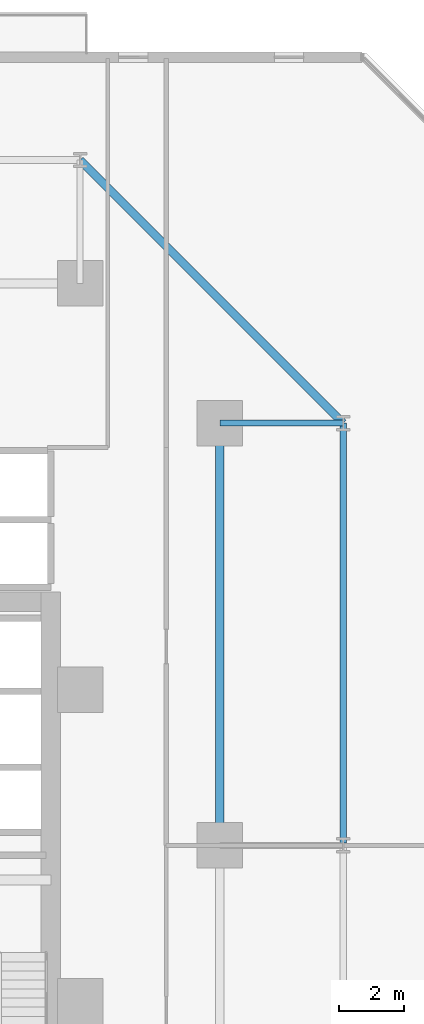
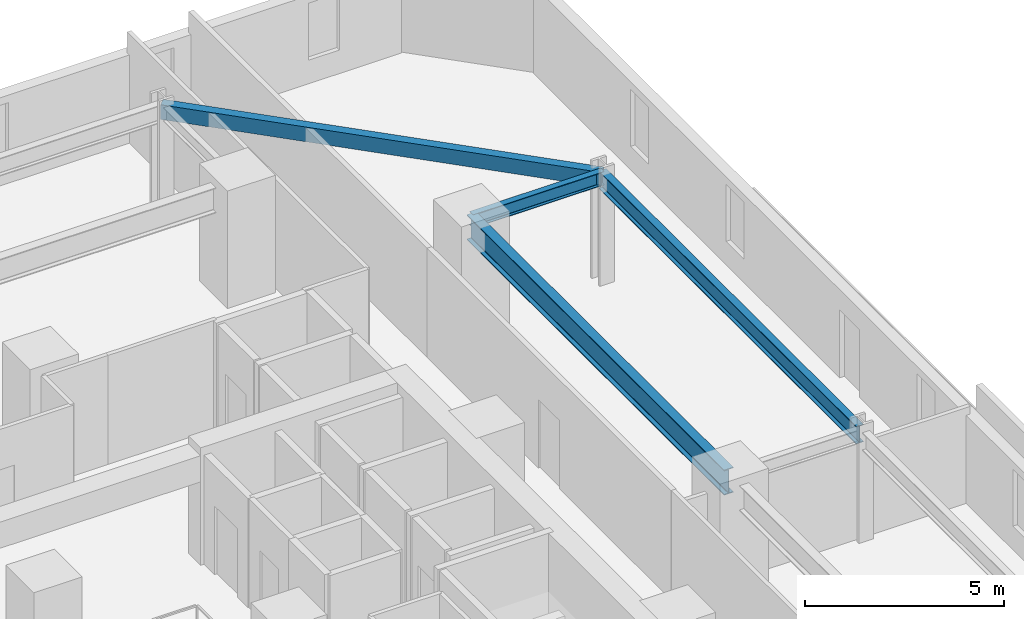
# One storey, part 17 of 34: 4 beams.
"""IFC4 building model written with IfcOpenShell, lengths in metres."""

from ifc_helpers import new_model, si_unit, direction, frame, origin, origin_2d, place, context, subcontext, project, spatial, hollow_rectangle, i_section, extrude, material, material_profile, profile_set, type_object, element, save


model = new_model("IFC4")

# Units and contexts
model_context = context("Model", 3, precision=1e-05, world=origin(), true_north=direction((0.0, 1.0)))
body_context = subcontext(model_context, "Body", "Model", "MODEL_VIEW")
ifc_project = project(units=[si_unit("LENGTHUNIT", "METRE"), si_unit("AREAUNIT", "SQUARE_METRE"), si_unit("VOLUMEUNIT", "CUBIC_METRE"), si_unit("PLANEANGLEUNIT", "RADIAN"), si_unit("MASSUNIT", "GRAM", prefix="KILO")], contexts=[model_context])

# Site, building, storey
site_placement = place(None, origin())
site = spatial("IfcSite", under=ifc_project, at=site_placement, CompositionType="ELEMENT")
building_placement = place(site_placement, origin())
building = spatial("IfcBuilding", under=site, at=building_placement, Name="Thornwick Lancets Civic Towers", CompositionType="ELEMENT")
storey_placement = place(building_placement, frame((0.0, 0.0, 57.300048828125)))
storey = spatial("IfcBuildingStorey", under=building, at=storey_placement, Name="L14", CompositionType="ELEMENT", Elevation=57.300048828125)

# Beams
ifc_material = material(Name="Steel S355JR", Category="steel")
ifc_material_profile_1 = material_profile(ifc_material, i_section(OverallWidth=0.2119140625, OverallDepth=0.54443359375, WebThickness=0.0126953125, FlangeThickness=0.021240234375, FilletRadius=0.0126953125, at=origin_2d()), Name="UKB 533x210x122")
ifc_profile_set_1 = profile_set([ifc_material_profile_1], Name="Steel S355JR")
beam_type_1 = type_object("IfcBeamType", Name="BM_EDGE_533_122", PredefinedType="SPANDREL", material=ifc_profile_set_1)
beam_1_placement = place(storey_placement, frame((109.60009765625, 27.080078125, 3.087646484375), z_axis=(0.0, 1.0, 0.0), x_axis=(-1.0, 0.0, 0.0)))
element("IfcBeam", 1, at=beam_1_placement, inside=storey, type_object=beam_type_1, Name="BM-EDGE-L14-B-S0-2", PredefinedType="SPANDREL", context=body_context, shape_type="SweptSolid", body=[
    extrude(i_section(OverallWidth=0.2119140625, OverallDepth=0.54443359375, WebThickness=0.0126953125, FlangeThickness=0.021240234375, FilletRadius=0.0126953125, at=origin_2d()), origin(), (0.0, 0.0, 1.0), 12.919921875),
])
ifc_material_profile_2 = material_profile(ifc_material, i_section(OverallWidth=0.26806640625, OverallDepth=0.769775390625, WebThickness=0.015625, FlangeThickness=0.025390625, FilletRadius=0.0166015625, at=origin_2d()), Name="UKB 762x267x197")
ifc_profile_set_2 = profile_set([ifc_material_profile_2], Name="Steel S355JR")
beam_type_2 = type_object("IfcBeamType", Name="BM_GIRD_762_197", PredefinedType="BEAM", material=ifc_profile_set_2)
beam_2_placement = place(storey_placement, frame((105.800048828125, 27.080078125, 2.97509765625), z_axis=(0.0, 1.0, 0.0), x_axis=(-1.0, 0.0, 0.0)))
element("IfcBeam", 2, at=beam_2_placement, inside=storey, type_object=beam_type_2, Name="BM-SPINE-L14-B-1-2", PredefinedType="BEAM", context=body_context, shape_type="SweptSolid", body=[
    extrude(i_section(OverallWidth=0.26806640625, OverallDepth=0.769775390625, WebThickness=0.015625, FlangeThickness=0.025390625, FilletRadius=0.0166015625, at=origin_2d()), origin(), (0.0, 0.0, 1.0), 12.919921875),
])
ifc_material_profile_3 = material_profile(ifc_material, i_section(OverallWidth=0.179443359375, OverallDepth=0.412841796875, WebThickness=0.009521484375, FlangeThickness=0.01611328125, FilletRadius=0.01025390625, at=origin_2d()), Name="UKB 406x178x74")
ifc_profile_set_3 = profile_set([ifc_material_profile_3], Name="Steel S355JR")
beam_type_3 = type_object("IfcBeamType", Name="BM_JOIST_406_74", PredefinedType="JOIST", material=ifc_profile_set_3)
beam_3_placement = place(storey_placement, frame((105.800048828125, 40.0, 3.153564453125), z_axis=(1.0, 0.0, 0.0), x_axis=(0.0, 1.0, 0.0)))
element("IfcBeam", 3, at=beam_3_placement, inside=storey, type_object=beam_type_3, Name="BM-RAD-L14-B03", PredefinedType="JOIST", context=body_context, shape_type="SweptSolid", body=[
    extrude(i_section(OverallWidth=0.179443359375, OverallDepth=0.412841796875, WebThickness=0.009521484375, FlangeThickness=0.01611328125, FilletRadius=0.01025390625, at=origin_2d()), origin(), (0.0, 0.0, 1.0), 3.800048828125),
])
ifc_material_profile_4 = material_profile(ifc_material, hollow_rectangle(XDim=0.25, YDim=0.449951171875, WallThickness=0.01611328125, at=origin_2d()), Name="RHS 450x250x16")
ifc_profile_set_4 = profile_set([ifc_material_profile_4], Name="Steel S355JR")
beam_type_4 = type_object("IfcBeamType", Name="BM_RING_RHS450", PredefinedType="BEAM", material=ifc_profile_set_4)
beam_4_placement = place(storey_placement, frame((109.60009765625, 40.0, 3.135009765625), z_axis=(-0.707106781187, 0.707106781187, 0.0), x_axis=(-0.707106781187, -0.707106781187, 0.0)))
element("IfcBeam", 4, at=beam_4_placement, inside=storey, type_object=beam_type_4, Name="BM-CHAMF-L14-B-C0", PredefinedType="BEAM", context=body_context, shape_type="SweptSolid", body=[
    extrude(hollow_rectangle(XDim=0.25, YDim=0.449951171875, WallThickness=0.01611328125, at=origin_2d()), origin(), (0.0, 0.0, 1.0), 11.455322265625),
])

save(model, "model.ifc")
